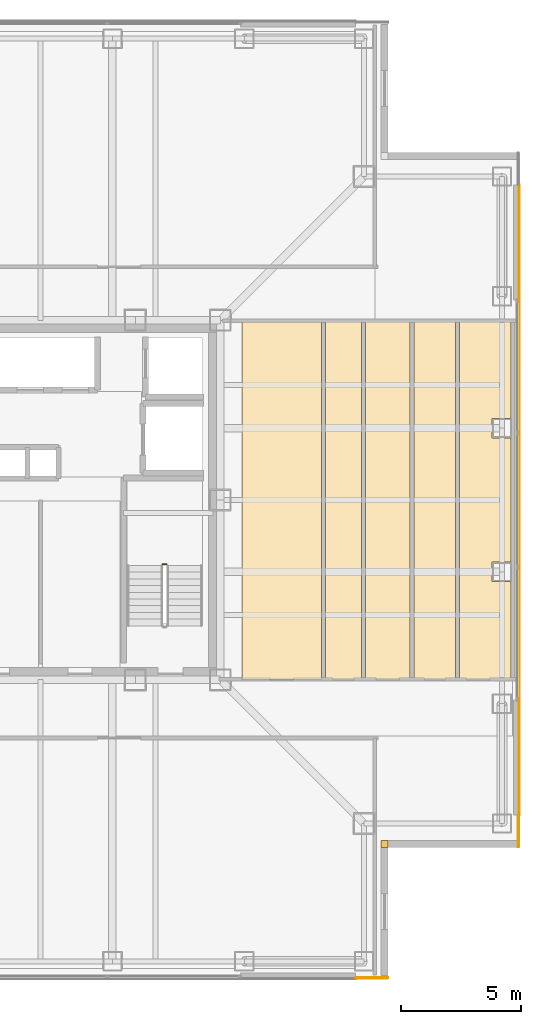
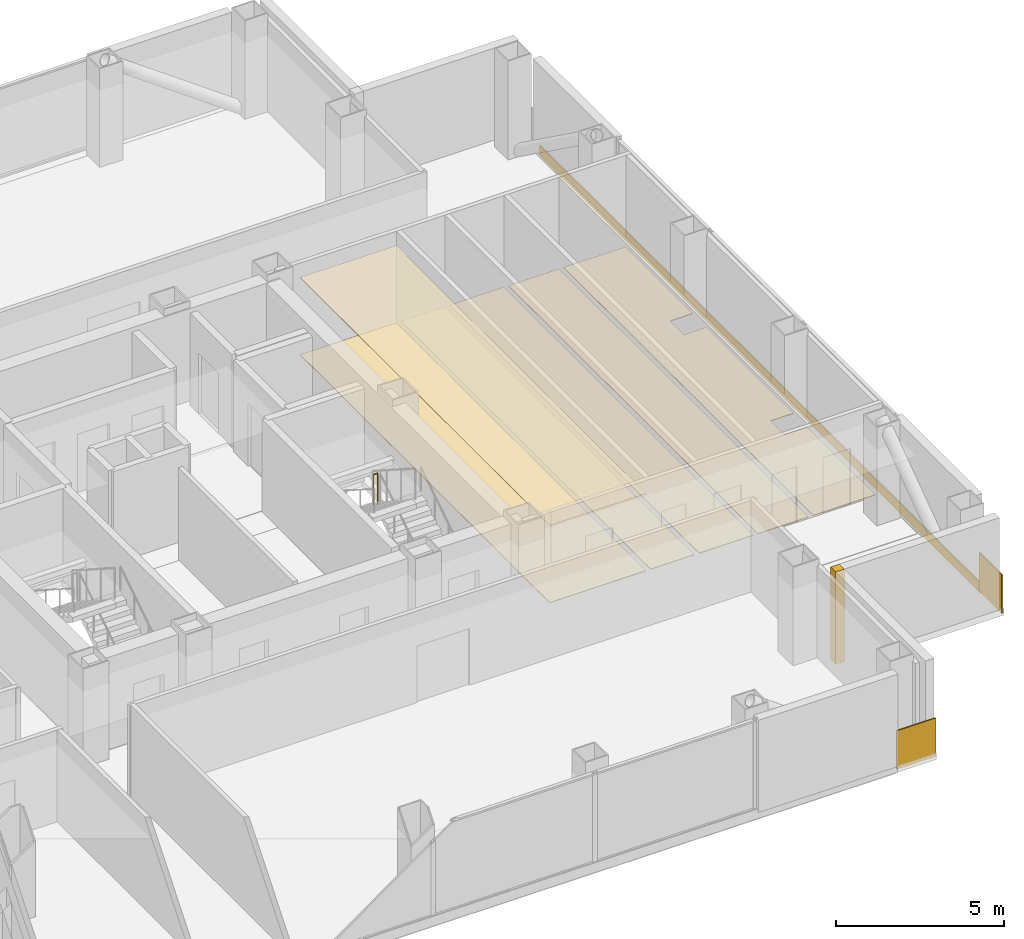
# One storey, part 15 of 16: 10 coverings, 1 railing.
"""IFC4 building model written with IfcOpenShell, lengths in metres."""

from ifc_helpers import new_model, si_unit, direction, frame, frame_2d, origin, origin_2d, place, context, subcontext, project, spatial, polyline, rectangle, circle, outline, extrude, material, layer, layer_set, type_object, element, save


model = new_model("IFC4")

# Units and contexts
model_context = context("Model", 3, precision=1e-05, world=origin(), true_north=direction((0.0, 1.0)))
body_context = subcontext(model_context, "Body", "Model", "MODEL_VIEW")
ifc_project = project(units=[si_unit("LENGTHUNIT", "METRE"), si_unit("AREAUNIT", "SQUARE_METRE"), si_unit("VOLUMEUNIT", "CUBIC_METRE"), si_unit("PLANEANGLEUNIT", "RADIAN"), si_unit("MASSUNIT", "GRAM", prefix="KILO")], contexts=[model_context])

# Site, building, storey
site_placement = place(None, origin())
site = spatial("IfcSite", under=ifc_project, at=site_placement, CompositionType="ELEMENT")
building_placement = place(site_placement, origin())
building = spatial("IfcBuilding", under=site, at=building_placement, Name="Trevonay Congress Spire", CompositionType="ELEMENT")
storey_placement = place(building_placement, frame((0.0, 0.0, 202.199951171875)))
storey = spatial("IfcBuildingStorey", under=building, at=storey_placement, Name="L52", CompositionType="ELEMENT", Elevation=202.199951171875)

# Coverings
ifc_material_1 = material(Name="Acoustic Mineral Fibre Board", Category="gypsum")
ifc_layer_1 = layer(ifc_material_1, 0.02490234375, Name="Acoustic Mineral Fibre Board")
ifc_layer_set_1 = layer_set([ifc_layer_1], Name="Acoustic Mineral Fibre Board")
covering_type_1 = type_object("IfcCoveringType", Name="COV-CEIL-ACOUSTIC", PredefinedType="CEILING", material=ifc_layer_set_1)
covering_1_placement = place(storey_placement, frame((0.0, 0.0, 2.81005859375)))
element("IfcCovering", 1, at=covering_1_placement, inside=storey, type_object=covering_type_1, Name="L52 Juice Bar Kitchenette acoustic suspended ceiling", PredefinedType="CEILING", context=body_context, shape_type="SweptSolid", body=[
    extrude(outline(polyline([(8.39990234375, -7.47998046875), (11.719970703125, -7.47998046875), (11.719970703125, 7.419921875), (8.39990234375, 7.419921875), (8.39990234375, -7.47998046875)])), origin(), (0.0, 0.0, 1.0), 0.02490234375),
])
ifc_material_2 = material(Name="Polished Granite Floor Tile", Category="masonry")
ifc_layer_2 = layer(ifc_material_2, 0.02001953125, Name="Polished Granite Floor Tile")
ifc_layer_set_2 = layer_set([ifc_layer_2], Name="Polished Granite Floor Tile")
covering_type_2 = type_object("IfcCoveringType", Name="COV-FLOOR-STONE", PredefinedType="FLOORING", material=ifc_layer_set_2)
covering_2_placement = place(storey_placement, origin())
element("IfcCovering", 2, at=covering_2_placement, inside=storey, type_object=covering_type_2, Name="L52 Juice Bar Kitchenette floor finish", PredefinedType="FLOORING", context=body_context, shape_type="SweptSolid", body=[
    extrude(outline(polyline([(8.39990234375, -7.47998046875), (11.719970703125, -7.47998046875), (11.719970703125, 7.419921875), (8.39990234375, 7.419921875), (8.39990234375, -7.47998046875)])), origin(), (0.0, 0.0, 1.0), 0.02001953125),
])
covering_3_placement = place(storey_placement, origin())
element("IfcCovering", 3, at=covering_3_placement, inside=storey, type_object=covering_type_2, Name="L52 Female Restroom WC floor finish", PredefinedType="FLOORING", context=body_context, shape_type="SweptSolid", body=[
    extrude(outline(polyline([(11.8798828125, -7.47998046875), (13.389892578125, -7.47998046875), (13.389892578125, 7.419921875), (11.8798828125, 7.419921875), (11.8798828125, -7.47998046875)])), origin(), (0.0, 0.0, 1.0), 0.02001953125),
])
covering_4_placement = place(storey_placement, origin())
element("IfcCovering", 4, at=covering_4_placement, inside=storey, type_object=covering_type_2, Name="L52 Floor Supplies and Copy Room floor finish", PredefinedType="FLOORING", context=body_context, shape_type="SweptSolid", body=[
    extrude(outline(polyline([(13.550048828125, -7.47998046875), (15.419921875, -7.47998046875), (15.419921875, 7.419921875), (13.550048828125, 7.419921875), (13.550048828125, -7.47998046875)])), origin(), (0.0, 0.0, 1.0), 0.02001953125),
])
covering_5_placement = place(storey_placement, origin())
element("IfcCovering", 5, at=covering_5_placement, inside=storey, type_object=covering_type_2, Name="L52 Male Restroom WC floor finish", PredefinedType="FLOORING", context=body_context, shape_type="SweptSolid", body=[
    extrude(outline(polyline([(15.580078125, -7.47998046875), (17.320068359375, -7.47998046875), (17.320068359375, 7.419921875), (15.580078125, 7.419921875), (15.580078125, -7.47998046875)])), origin(), (0.0, 0.0, 1.0), 0.02001953125),
])
covering_6_placement = place(storey_placement, origin())
element("IfcCovering", 6, at=covering_6_placement, inside=storey, type_object=covering_type_2, Name="L52 Floor Supplies and Copy Room floor finish", PredefinedType="FLOORING", context=body_context, shape_type="SweptSolid", body=[
    extrude(outline(polyline([(19.6201171875, -7.47998046875), (17.47998046875, -7.47998046875), (17.47998046875, 7.419921875), (19.6201171875, 7.419921875), (19.6201171875, 3.409912109375), (18.840087890625, 3.409912109375), (18.840087890625, 2.590087890625), (19.6201171875, 2.590087890625), (19.6201171875, -2.590087890625), (18.840087890625, -2.590087890625), (18.840087890625, -3.409912109375), (19.6201171875, -3.409912109375), (19.6201171875, -7.47998046875)])), origin(), (0.0, 0.0, 1.0), 0.02001953125),
])
ifc_material_3 = material(Name="Pale Anodised Aluminium EN AW-6063-T6", Category="aluminium")
ifc_layer_3 = layer(ifc_material_3, 0.0400390625, Name="Pale Anodised Aluminium EN AW-6063-T6")
ifc_layer_set_3 = layer_set([ifc_layer_3], Name="Pale Anodised Aluminium EN AW-6063-T6")
covering_type_3 = type_object("IfcCoveringType", Name="COV-SPANDREL-PALE-METAL", PredefinedType="CLADDING", material=ifc_layer_set_3)
covering_7_placement = place(storey_placement, frame((19.97998046875, -13.14990234375, -0.239990234375), z_axis=(0.0, 0.0, 1.0), x_axis=(0.0, 1.0, 0.0)))
element("IfcCovering", 7, at=covering_7_placement, inside=storey, type_object=covering_type_3, Name="L52 E pale-metal slab-edge spandrel cladding", PredefinedType="CLADDING", context=body_context, shape_type="SweptSolid", body=[
    extrude(rectangle(XDim=26.2998046875, YDim=0.0400390625, at=frame_2d((13.14990234375, 0.0))), origin(), (0.0, 0.0, 1.0), 0.360107421875),
])
covering_8_placement = place(storey_placement, origin())
element("IfcCovering", 8, at=covering_8_placement, inside=storey, type_object=covering_type_3, Name="L52 SE re-entrant notch corner closure trim", PredefinedType="CLADDING", context=body_context, shape_type="SweptSolid", body=[
    extrude(outline(polyline([(14.199951171875, -14.5), (14.5, -14.5), (14.5, -14.199951171875), (14.199951171875, -14.199951171875), (14.199951171875, -14.5)])), origin(), (0.0, 0.0, 1.0), 3.360107421875),
])
for number, where, z_axis, x_axis, name in (
    (9, (19.93994140625, -13.14990234375, -0.14990234375), (0.0, 0.0, 1.0), (0.0, -1.0, 0.0), "L52 SE corner pier spandrel cladding 1"),
    (10, (13.14990234375, -19.93994140625, -0.14990234375), (0.0, 0.0, 1.0), (1.0, 0.0, 0.0), "L52 SE corner pier spandrel cladding 2"),
):
    element("IfcCovering", number, at=place(storey_placement, frame(where, z_axis=z_axis, x_axis=x_axis)), inside=storey, type_object=covering_type_3, Name=name, PredefinedType="CLADDING", context=body_context, shape_type="SweptSolid", body=[
        extrude(rectangle(XDim=1.35009765625, YDim=0.0400390625, at=frame_2d((0.675048828125, 0.0))), origin(), (0.0, 0.0, 1.0), 1.39990234375),
    ])

# Railing
railing_type = type_object("IfcRailingType", Name="RAL-STAIR-GUARD-110", PredefinedType="GUARDRAIL", material=ifc_material_3)
railing_placement = place(storey_placement, frame((5.25, -2.679931640625, 1.800048828125)))
element("IfcRailing", 11, at=railing_placement, inside=storey, type_object=railing_type, Name="L52 ST-2 stair guard 2", PredefinedType="GUARDRAIL", context=body_context, shape_type="SweptSolid", body=[
    extrude(circle(Radius=0.02392578125, at=origin_2d()), frame((0.0, 0.0, 1.1259765625), z_axis=(-1.0, 0.0, 0.0), x_axis=(0.0, -1.0, 0.0)), (0.0, 0.0, 1.0), 0.14990234375),
    extrude(circle(Radius=0.02099609375, at=origin_2d()), origin(), (0.0, 0.0, 1.0), 1.101806640625),
    extrude(circle(Radius=0.02099609375, at=origin_2d()), frame((-0.14990234375, 0.0, 0.0)), (0.0, 0.0, 1.0), 1.101806640625),
])

save(model, "model.ifc")
